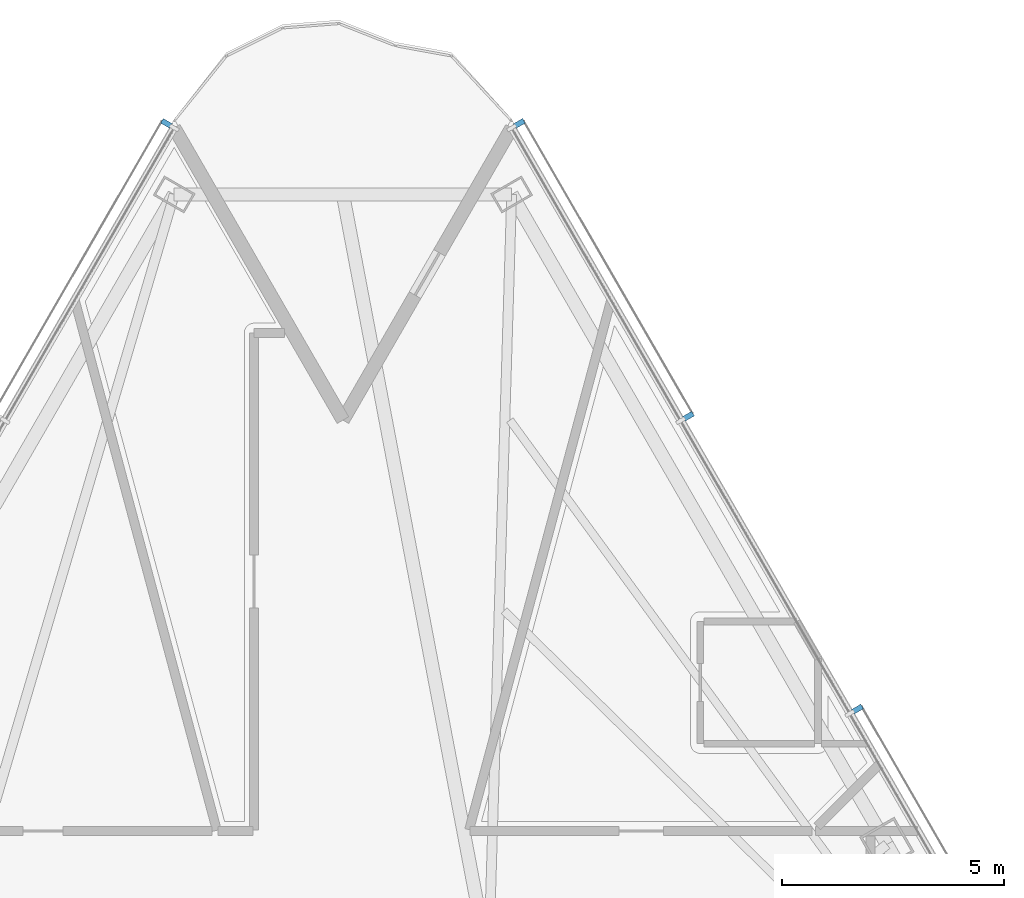
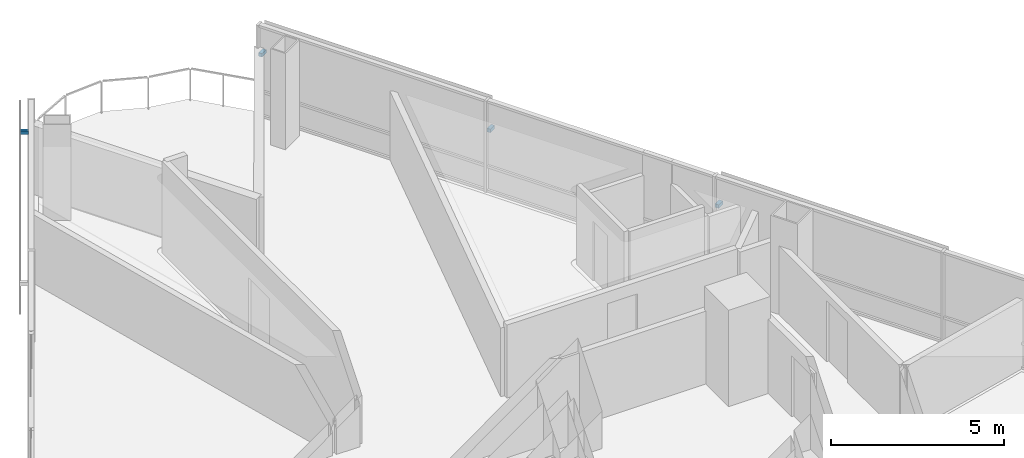
# One storey, part 12 of 16: 4 discrete accessories.
"""IFC4 building model written with IfcOpenShell, lengths in metres."""

import ifcopenshell
import ifcopenshell.guid

model = None  # the IFC model being written
_history = None  # IfcOwnerHistory: only IFC2X3 demands one
_inside = {}  # id of a spatial element -> (the spatial element, [elements in it])
_under = {}  # id of a project, library or spatial element -> (it, [spatial elements below it])
_declared = {}  # id of a project -> (the project, [libraries it declares])
_typed = {}  # id of a type object -> (the type object, [elements of that type])
_made_of = {}  # id of a material, layer set ... -> (it, [elements and type objects made of it])


def new_model(schema):
    """Start an empty IFC model of exactly this schema.

    Asked for "IFC4X3", IfcOpenShell would pick the latest addendum, in which some entities
    have other attributes; the version numbers below select the first issue.
    IFC2X3 requires an IfcOwnerHistory on every rooted entity: one is made here for all.
    """
    global model, _history
    if schema == "IFC4X3":
        model = ifcopenshell.file(schema_version=(4, 3, 0, 0))
    else:
        model = ifcopenshell.file(schema=schema)
    _inside.clear()
    _under.clear()
    _declared.clear()
    _typed.clear()
    _made_of.clear()
    _history = None
    if model.schema == "IFC2X3":
        org = make("IfcOrganization", Name="unknown")
        user = make(
            "IfcPersonAndOrganization",
            ThePerson=make("IfcPerson", FamilyName="unknown"),
            TheOrganization=org,
        )
        app = make(
            "IfcApplication",
            ApplicationDeveloper=org,
            Version="unknown",
            ApplicationFullName="unknown",
            ApplicationIdentifier="unknown",
        )
        _history = make(
            "IfcOwnerHistory",
            OwningUser=user,
            OwningApplication=app,
            ChangeAction="ADDED",
            CreationDate=0,
        )
    return model


def make(cls, **values):
    """One entity of the class cls with the attributes given. An attribute that is None is left unset."""
    return model.create_entity(
        cls, **{name: value for name, value in values.items() if value is not None}
    )


def rooted(cls, **values):
    """An entity with a GlobalId (a new one), such as an element, a storey or a relation."""
    return make(cls, GlobalId=ifcopenshell.guid.new(), OwnerHistory=_history, **values)


def si_unit(unit_type, name, prefix=None):
    """IfcSIUnit, for example si_unit("LENGTHUNIT", "METRE", prefix="MILLI")."""
    return make("IfcSIUnit", UnitType=unit_type, Prefix=prefix, Name=name)


def assignment(units):
    """IfcUnitAssignment: the units of a project."""
    return None if units is None else make("IfcUnitAssignment", Units=units)


def point(xyz):
    """IfcCartesianPoint."""
    return None if xyz is None else make("IfcCartesianPoint", Coordinates=xyz)


def direction(xyz):
    """IfcDirection."""
    return None if xyz is None else make("IfcDirection", DirectionRatios=xyz)


def frame(location, z_axis=None, x_axis=None):
    """IfcAxis2Placement3D, a coordinate frame: its origin and axes. An axis left out is left unset."""
    return make(
        "IfcAxis2Placement3D",
        Location=point(location),
        Axis=direction(z_axis),
        RefDirection=direction(x_axis),
    )


def frame_2d(location, x_axis=None):
    """IfcAxis2Placement2D, a coordinate frame in the plane: its origin and x axis."""
    return make(
        "IfcAxis2Placement2D", Location=point(location), RefDirection=direction(x_axis)
    )


def origin():
    """The frame at (0, 0, 0) with its axes left unset."""
    return frame((0.0, 0.0, 0.0))


def origin_2d():
    """The frame at (0, 0) in the plane with its x axis left unset."""
    return frame_2d((0.0, 0.0))


def place(relative_to, where):
    """IfcLocalPlacement: puts the frame where relative to a parent placement (None: the world)."""
    return make(
        "IfcLocalPlacement", PlacementRelTo=relative_to, RelativePlacement=where
    )


def context(
    kind, dimensions, precision=None, world=None, true_north=None, identifier=None
):
    """IfcGeometricRepresentationContext, for example the 3D "Model" context."""
    return make(
        "IfcGeometricRepresentationContext",
        ContextIdentifier=identifier,
        ContextType=kind,
        CoordinateSpaceDimension=dimensions,
        Precision=precision,
        WorldCoordinateSystem=world,
        TrueNorth=true_north,
    )


def subcontext(parent, identifier, kind, view, scale=None):
    """IfcGeometricRepresentationSubContext, for example "Body" below "Model"."""
    return make(
        "IfcGeometricRepresentationSubContext",
        ContextIdentifier=identifier,
        ContextType=kind,
        ParentContext=parent,
        TargetScale=scale,
        TargetView=view,
    )


def project(units=None, contexts=None):
    """IfcProject with its units and contexts."""
    return rooted(
        "IfcProject",
        Name="project",
        RepresentationContexts=contexts,
        UnitsInContext=assignment(units),
    )


def spatial(cls, under=None, at=None, **own):
    """A site, building, storey or space (cls), placed at a placement, below another one or the project."""
    s = rooted(cls, ObjectPlacement=at, **own)
    if under is not None:
        _under.setdefault(under.id(), (under, []))[1].append(s)
    return s


def profile(cls, at=None, kind="AREA", **sizes):
    """A parametric profile (cls). Its sizes go by their IFC names, for example OverallWidth=200.0."""
    return make(cls, ProfileType=kind, Position=at, **sizes)


def rectangle(**sizes):
    """IfcRectangleProfileDef."""
    return profile("IfcRectangleProfileDef", **sizes)


def extrude(swept, where, along, depth):
    """IfcExtrudedAreaSolid: the profile swept, set in the frame where, extruded along a direction by depth."""
    return make(
        "IfcExtrudedAreaSolid",
        SweptArea=swept,
        Position=where,
        ExtrudedDirection=direction(along),
        Depth=depth,
    )


def shape(context_of_items, identifier, shape_type, items):
    """IfcShapeRepresentation: the items that make up one representation, for example the "Body"."""
    return make(
        "IfcShapeRepresentation",
        ContextOfItems=context_of_items,
        RepresentationIdentifier=identifier,
        RepresentationType=shape_type,
        Items=items,
    )


def material(Name=None, Category=None):
    """IfcMaterial."""
    return make("IfcMaterial", Name=Name, Category=Category)


def made_of(thing, what):
    """Note that an element or type object is made of a material, layer set ...; save() writes the relation."""
    if what is not None:
        _made_of.setdefault(what.id(), (what, []))[1].append(thing)
    return thing


def type_object(cls, material=None, **own):
    """A type object (cls), such as IfcWallType, which elements share."""
    return made_of(rooted(cls, **own), material)


def element(
    cls,
    number,
    at=None,
    inside=None,
    cuts=None,
    type_object=None,
    material=None,
    context=None,
    identifier="Body",
    shape_type=None,
    held_by="IfcProductDefinitionShape",
    body=None,
    shapes=None,
    **own,
):
    """One element of the class cls, such as IfcWall. Its Tag is "e" and its number.

    at: its placement. inside: the storey or other place that contains it. cuts: it is an
    opening in that element (IfcRelVoidsElement). A single representation is given by context,
    identifier, shape_type and body (its items); several are given by shapes. held_by: the class
    of the entity that holds the representations. save() writes the other relations.
    """
    e = rooted(cls, Tag="e%d" % number, ObjectPlacement=at, **own)
    if body is not None:
        shapes = [shape(context, identifier, shape_type, body)]
    if shapes is not None:
        e.Representation = make(held_by, Representations=shapes)
    if inside is not None:
        _inside.setdefault(inside.id(), (inside, []))[1].append(e)
    if cuts is not None:
        rooted(
            "IfcRelVoidsElement", RelatingBuildingElement=cuts, RelatedOpeningElement=e
        )
    if type_object is not None:
        _typed.setdefault(type_object.id(), (type_object, []))[1].append(e)
    return made_of(e, material)


def aggregate(whole, parts):
    """IfcRelAggregates: a whole, such as a stair, and the parts it consists of."""
    return rooted("IfcRelAggregates", RelatingObject=whole, RelatedObjects=parts)


def save(model, path):
    """Write the relations noted so far, then the file.

    IfcRelAggregates (storeys below a building ...), IfcRelContainedInSpatialStructure (elements
    in a storey), IfcRelDefinesByType, IfcRelAssociatesMaterial and IfcRelDeclares: one each for
    every whole, place, type object, material and project.
    """
    for whole, parts in _under.values():
        aggregate(whole, parts)
    for where, things in _inside.values():
        rooted(
            "IfcRelContainedInSpatialStructure",
            RelatedElements=things,
            RelatingStructure=where,
        )
    for kind, things in _typed.values():
        rooted("IfcRelDefinesByType", RelatedObjects=things, RelatingType=kind)
    for what, things in _made_of.values():
        rooted("IfcRelAssociatesMaterial", RelatedObjects=things, RelatingMaterial=what)
    for by, libraries in _declared.values():
        rooted("IfcRelDeclares", RelatingContext=by, RelatedDefinitions=libraries)
    model.write(path)


model = new_model("IFC4")

# Units and contexts
model_context = context("Model", 3, precision=1e-05, world=origin(), true_north=direction((0.0, 1.0)))
body_context = subcontext(model_context, "Body", "Model", "MODEL_VIEW")
ifc_project = project(units=[si_unit("LENGTHUNIT", "METRE"), si_unit("AREAUNIT", "SQUARE_METRE"), si_unit("VOLUMEUNIT", "CUBIC_METRE"), si_unit("PLANEANGLEUNIT", "RADIAN"), si_unit("MASSUNIT", "GRAM", prefix="KILO")], contexts=[model_context])

# Site, building, storey
site_placement = place(None, origin())
site = spatial("IfcSite", under=ifc_project, at=site_placement, CompositionType="ELEMENT")
building_placement = place(site_placement, origin())
building = spatial("IfcBuilding", under=site, at=building_placement, Name="Tharavind Bronze Gate", CompositionType="ELEMENT")
storey_placement = place(building_placement, frame((0.0, 0.0, 48.85009765625)))
storey = spatial("IfcBuildingStorey", under=building, at=storey_placement, Name="L11", CompositionType="ELEMENT", Elevation=48.85009765625)

# Discrete accessories
ifc_material = material(Name="Stainless Steel 316", Category="steel")
discrete_accessory_type = type_object("IfcDiscreteAccessoryType", Name="SOLAR SCREEN STANDOFF BRACKET", PredefinedType="BRACKET", material=ifc_material)
for number, where, z_axis, x_axis, name in (
    (1, (-3.97314453125, 26.518310546875, 2.00244140625), (0.0, 0.0, 1.0), (-0.500001511499, -0.866024531118, 0.0), "CW-L11-S1 solar screen bracket 1.1"),
    (2, (11.589111328125, 13.326904296875, 2.00244140625), (0.0, 0.0, 1.0), (-0.500001511499, 0.866024531118, 0.0), "CW-L11-S3 solar screen bracket 5.2"),
    (3, (7.78125, 19.922607421875, 2.00244140625), (0.0, 0.0, 1.0), (-0.500001511499, 0.866024531118, 0.0), "CW-L11-S3 solar screen bracket 7.1"),
    (4, (3.97314453125, 26.518310546875, 2.00244140625), (0.0, 0.0, 1.0), (-0.500001511499, 0.866024531118, 0.0), "CW-L11-S3 solar screen bracket 7.2"),
):
    element("IfcDiscreteAccessory", number, at=place(storey_placement, frame(where, z_axis=z_axis, x_axis=x_axis)), inside=storey, type_object=discrete_accessory_type, Name=name, PredefinedType="BRACKET", context=body_context, shape_type="SweptSolid", body=[
        extrude(rectangle(XDim=0.1201171875, YDim=0.239990234375, at=origin_2d()), origin(), (0.0, 0.0, 1.0), 0.1201171875),
    ])

save(model, "model.ifc")
